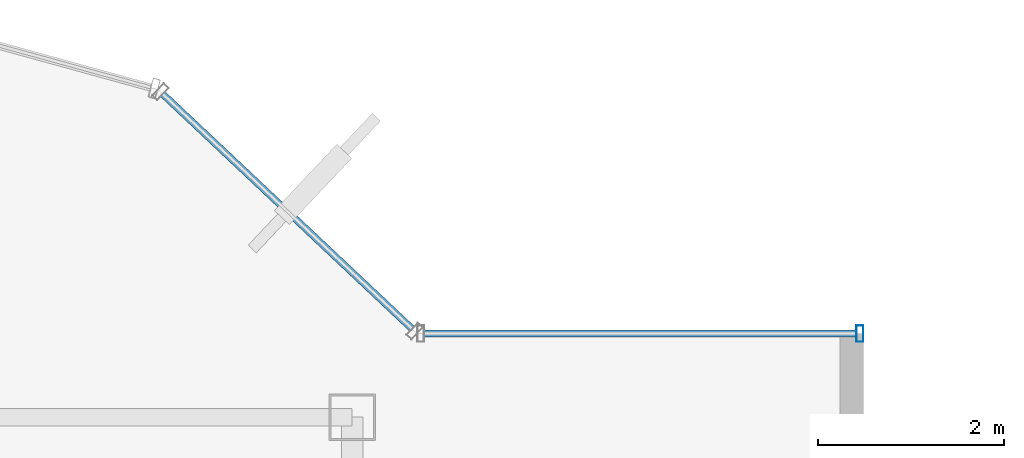
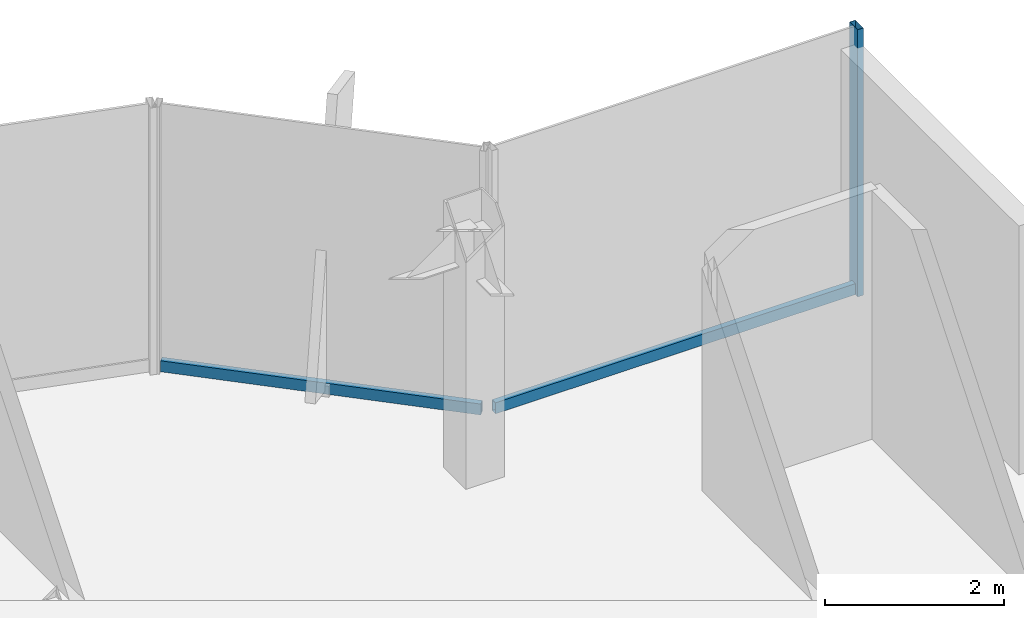
# One storey, part 15 of 22: 3 members, 2 elements without a shape of their own.
"""IFC4 building model written with IfcOpenShell, lengths in metres."""

from ifc_helpers import new_model, si_unit, derived_unit, direction, frame, origin, origin_2d, place, context, subcontext, project, spatial, hollow_rectangle, extrude, source, transform, mapped, material, material_profile, profile_set, type_object, element, aggregate, save


model = new_model("IFC4")

# Units and contexts
model_context = context("Model", 3, precision=1e-05, world=origin(), true_north=direction((0.0, 1.0)))
body_context = subcontext(model_context, "Body", "Model", "MODEL_VIEW")
ifc_project = project(units=[si_unit("LENGTHUNIT", "METRE"), si_unit("AREAUNIT", "SQUARE_METRE"), si_unit("VOLUMEUNIT", "CUBIC_METRE"), si_unit("PLANEANGLEUNIT", "RADIAN"), si_unit("MASSUNIT", "GRAM", prefix="KILO"), derived_unit("THERMALTRANSMITTANCEUNIT", [(si_unit("POWERUNIT", "WATT"), 1), (si_unit("LENGTHUNIT", "METRE"), -2), (si_unit("THERMODYNAMICTEMPERATUREUNIT", "KELVIN"), -1)])], contexts=[model_context])

# Site, building, storey
site_placement = place(None, origin())
site = spatial("IfcSite", under=ifc_project, at=site_placement, CompositionType="ELEMENT")
building_placement = place(site_placement, origin())
building = spatial("IfcBuilding", under=site, at=building_placement, Name="Skarnbrae Concourse Arena and Tower", CompositionType="ELEMENT")
storey_placement = place(building_placement, frame((0.0, 0.0, 266.10009765625)))
storey = spatial("IfcBuildingStorey", under=building, at=storey_placement, Name="L69", CompositionType="ELEMENT", Elevation=266.10009765625)

# Curtain wall, members
ifc_material = material(Name="Bronze anodised aluminium 6063-T6", Category="aluminium")
curtain_wall_type = type_object("IfcCurtainWallType", Name="CW-SYS-05-HIGHZONE", PredefinedType="USERDEFINED", material=ifc_material)
curtain_wall_1_placement = place(storey_placement, origin())
curtain_wall_1 = element("IfcCurtainWall", 1, at=curtain_wall_1_placement, inside=storey, type_object=curtain_wall_type, Name="L69 Unitised curtain wall CW-L69-E07", ObjectType="UNITISED CURTAIN WALL", PredefinedType="USERDEFINED")
ifc_material_profile_1 = material_profile(ifc_material, hollow_rectangle(XDim=0.074951171875, YDim=0.179931640625, WallThickness=0.00390625, at=origin_2d()), Name="ALU-MULL-75X180")
ifc_profile_set_1 = profile_set([ifc_material_profile_1], Name="Bronze anodised aluminium 6063-T6")
member_type_1 = type_object("IfcMemberType", Name="CWM-CW-05", PredefinedType="MULLION", material=ifc_profile_set_1)
shared_shape_1 = source(origin(), body_context, "Body", "SweptSolid", [
    extrude(hollow_rectangle(XDim=0.074951171875, YDim=0.179931640625, WallThickness=0.00390625, at=origin_2d()), origin(), (0.0, 0.0, 1.0), 3.64990234375),
])
member_1_placement = place(storey_placement, frame((38.96240234375, 35.300048828125, 0.0), z_axis=(0.0, 0.0, 1.0), x_axis=(-1.0, 0.0, 0.0)))
member_1 = element("IfcMember", 2, at=member_1_placement, type_object=member_type_1, Name="CW-L69-E07 Mullion 1", PredefinedType="MULLION", context=body_context, shape_type="MappedRepresentation", body=[
    mapped(shared_shape_1, transform((0.0, 0.0, 0.0))),
])
ifc_material_profile_2 = material_profile(ifc_material, hollow_rectangle(XDim=0.074951171875, YDim=0.14990234375, WallThickness=0.00390625, at=origin_2d()), Name="ALU-TRAN-75X150")
ifc_profile_set_2 = profile_set([ifc_material_profile_2], Name="Bronze anodised aluminium 6063-T6")
member_type_2 = type_object("IfcMemberType", Name="CWT-CW-05", PredefinedType="USERDEFINED", material=ifc_profile_set_2)
shared_shape_2 = source(origin(), body_context, "Body", "SweptSolid", [
    extrude(hollow_rectangle(XDim=0.074951171875, YDim=0.14990234375, WallThickness=0.00390625, at=origin_2d()), origin(), (0.0, 0.0, 1.0), 4.650146484375),
])
member_2_placement = place(storey_placement, frame((38.925048828125, 35.300048828125, 0.074951171875), z_axis=(-1.0, 0.0, 0.0), x_axis=(0.0, -1.0, 0.0)))
member_2 = element("IfcMember", 3, at=member_2_placement, type_object=member_type_2, Name="CW-L69-E07 Transom 1", ObjectType="TRANSOM", PredefinedType="USERDEFINED", context=body_context, shape_type="MappedRepresentation", body=[
    mapped(shared_shape_2, transform((0.0, 0.0, 0.0))),
])
aggregate(curtain_wall_1, [member_1, member_2])

# Curtain wall, member
curtain_wall_2_placement = place(storey_placement, origin())
curtain_wall_2 = element("IfcCurtainWall", 4, at=curtain_wall_2_placement, inside=storey, type_object=curtain_wall_type, Name="L69 Unitised curtain wall CW-L69-E08", ObjectType="UNITISED CURTAIN WALL", PredefinedType="USERDEFINED")
shared_shape_3 = source(origin(), body_context, "Body", "SweptSolid", [
    extrude(hollow_rectangle(XDim=0.074951171875, YDim=0.14990234375, WallThickness=0.00390625, at=origin_2d()), origin(), (0.0, 0.0, 1.0), 3.68212890625),
])
member_3_placement = place(storey_placement, frame((34.1455078125, 35.351318359375, 0.074951171875), z_axis=(-0.728133808476, 0.685435012933, 0.0), x_axis=(-0.685435012933, -0.728133808476, 0.0)))
member_3 = element("IfcMember", 5, at=member_3_placement, type_object=member_type_2, Name="CW-L69-E08 Transom 1", ObjectType="TRANSOM", PredefinedType="USERDEFINED", context=body_context, shape_type="MappedRepresentation", body=[
    mapped(shared_shape_3, transform((0.0, 0.0, 0.0))),
])
aggregate(curtain_wall_2, [member_3])

save(model, "model.ifc")
